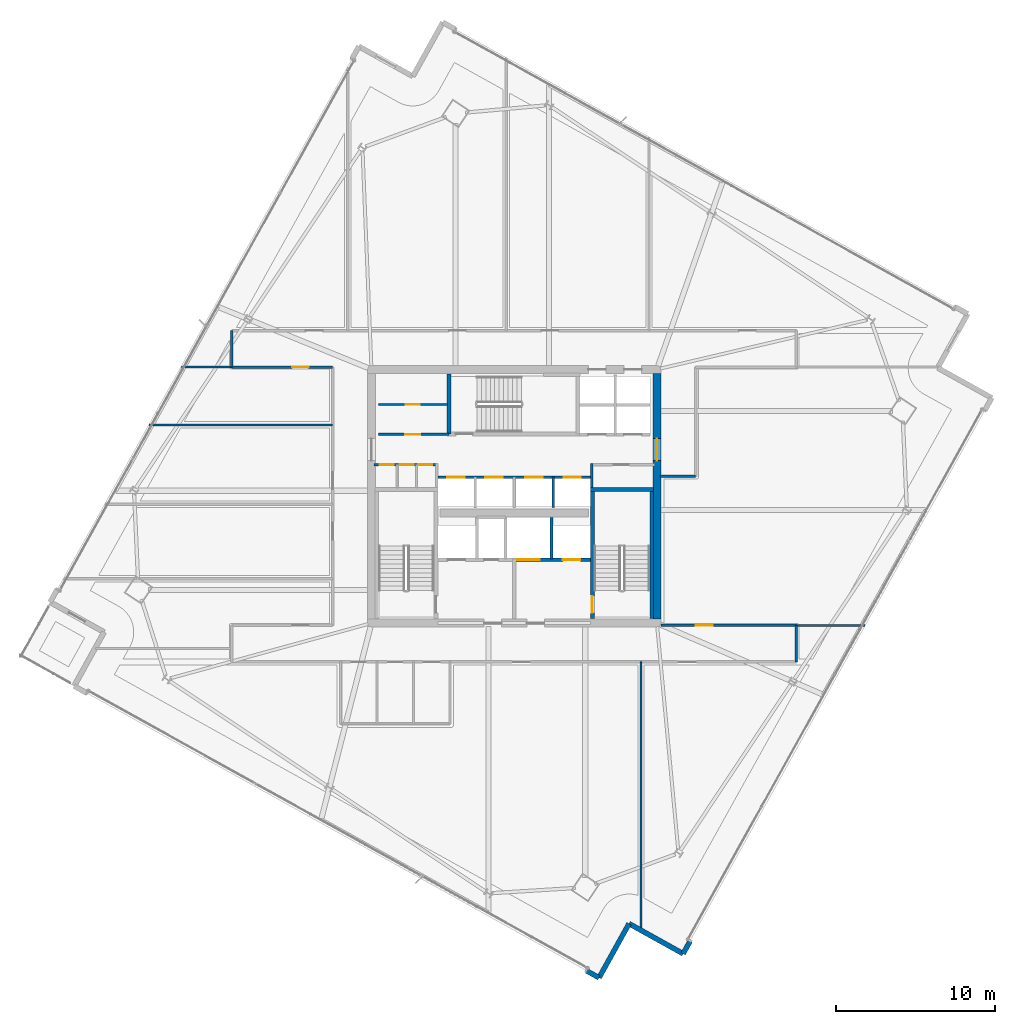
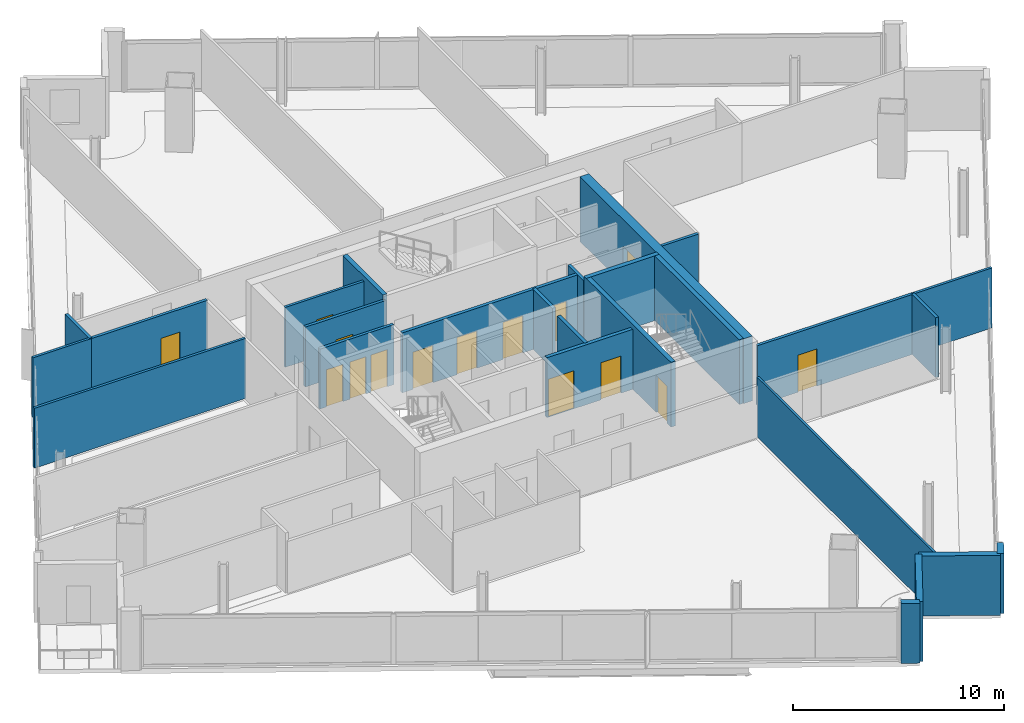
# One storey, part 21 of 28: 26 walls, 15 doors, 15 openings.
"""IFC4 building model written with IfcOpenShell, lengths in metres."""

from ifc_helpers import new_model, si_unit, direction, frame, frame_2d, origin, place, context, subcontext, project, spatial, rectangle, extrude, material, layer, layer_set, type_object, element, fill, save


model = new_model("IFC4")

# Units and contexts
model_context = context("Model", 3, precision=1e-05, world=origin(), true_north=direction((0.0, 1.0)))
body_context = subcontext(model_context, "Body", "Model", "MODEL_VIEW")
ifc_project = project(units=[si_unit("LENGTHUNIT", "METRE"), si_unit("AREAUNIT", "SQUARE_METRE"), si_unit("VOLUMEUNIT", "CUBIC_METRE"), si_unit("PLANEANGLEUNIT", "RADIAN"), si_unit("MASSUNIT", "GRAM", prefix="KILO")], contexts=[model_context])

# Site, building, storey
site_placement = place(None, origin())
site = spatial("IfcSite", under=ifc_project, at=site_placement, CompositionType="ELEMENT")
building_placement = place(site_placement, origin())
building = spatial("IfcBuilding", under=site, at=building_placement, Name="Haldenkirk Collegiate Tower", CompositionType="ELEMENT")
storey_placement = place(building_placement, frame((0.0, 0.0, 232.199951171875)))
storey = spatial("IfcBuildingStorey", under=building, at=storey_placement, Name="L58", CompositionType="ELEMENT", Elevation=232.199951171875)

# Wall, opening, door
ifc_material_1 = material(Name="Concrete f'c 55 MPa", Category="concrete")
ifc_layer_1 = layer(ifc_material_1, 0.5)
ifc_layer_set_1 = layer_set([ifc_layer_1], Name="Concrete f'c 55 MPa")
wall_type_1 = type_object("IfcWallType", Name="WL-CORE-500", PredefinedType="SHEAR", material=ifc_layer_set_1)
wall_1_placement = place(storey_placement, frame((45.0, 18.25, 0.0), z_axis=(0.0, 0.0, 1.0), x_axis=(0.0, 1.0, 0.0)))
wall_1 = element("IfcWall", 1, at=wall_1_placement, inside=storey, type_object=wall_type_1, Name="L58 central core shear wall E", PredefinedType="SHEAR", context=body_context, shape_type="SweptSolid", body=[
    extrude(rectangle(XDim=15.5, YDim=0.5, at=frame_2d((7.75, 0.0))), origin(), (0.0, 0.0, 1.0), 3.75),
])
opening_1_placement = place(wall_1_placement, frame((9.989990234375, 0.0, 0.0)))
opening_1 = element("IfcOpeningElement", 2, at=opening_1_placement, cuts=wall_1, Name="Opening D-03", PredefinedType="OPENING", context=body_context, shape_type="SweptSolid", body=[
    extrude(rectangle(XDim=1.39990234375, YDim=2.199951171875, at=frame_2d((0.699951171875, 1.10009765625))), frame((0.0, 0.260009765625, 0.0), z_axis=(0.0, -1.0, 0.0), x_axis=(1.0, 0.0, 0.0)), (0.0, 0.0, 1.0), 0.52001953125),
])
ifc_material_2 = material(Name="Galvanized fire-rated hollow steel door", Category="steel")
ifc_layer_2 = layer(ifc_material_2, 0.06005859375)
ifc_layer_set_2 = layer_set([ifc_layer_2], Name="Galvanized fire-rated hollow steel door")
door_type_1 = type_object("IfcDoorType", Name="DR-LOBBY-FD90-1400", OperationType="NOTDEFINED", PredefinedType="DOOR", material=ifc_layer_set_2)
door_1_placement = place(opening_1_placement, origin())
door_1 = element("IfcDoor", 3, at=door_1_placement, inside=storey, type_object=door_type_1, Name="L58 east lift lobby portal", OperationType="DOUBLE_DOOR_SINGLE_SWING", OverallHeight=2.199951171875, OverallWidth=1.39990234375, PredefinedType="DOOR", context=body_context, shape_type="SweptSolid", body=[
    extrude(rectangle(XDim=1.39990234375, YDim=2.199951171875, at=frame_2d((0.699951171875, 1.10009765625))), frame((0.0, 0.02490234375, 0.0), z_axis=(0.0, -1.0, 0.0), x_axis=(1.0, 0.0, 0.0)), (0.0, 0.0, 1.0), 0.050048828125),
])
fill(opening_1, door_1)

# Walls
ifc_material_3 = material(Name="Precast concrete f'c 40 MPa", Category="concrete")
ifc_layer_3 = layer(ifc_material_3, 0.320068359375)
ifc_layer_set_3 = layer_set([ifc_layer_3], Name="Precast concrete f'c 40 MPa")
wall_type_2 = type_object("IfcWallType", Name="WL-EXT-TWR-320", PredefinedType="STANDARD", material=ifc_layer_set_3)
wall_2_placement = place(storey_placement, frame((47.091796875, -2.06689453125, 0.0), z_axis=(0.0, 0.0, 1.0), x_axis=(-0.485642931179, -0.874157276122, 0.0)))
element("IfcWall", 4, at=wall_2_placement, inside=storey, type_object=wall_type_2, Name="L58 precast corner pier SR", PredefinedType="STANDARD", context=body_context, shape_type="SweptSolid", body=[
    extrude(rectangle(XDim=0.89990234375, YDim=0.320068359375, at=frame_2d((0.449951171875, 0.0))), origin(), (0.0, 0.0, 1.0), 3.469970703125),
])
wall_3_placement = place(storey_placement, frame((41.351806640625, -4.369384765625, 0.0), z_axis=(0.0, 0.0, 1.0), x_axis=(-0.874221241313, 0.485527775969, 0.0)))
element("IfcWall", 5, at=wall_3_placement, inside=storey, type_object=wall_type_2, Name="L58 precast corner pier WL", PredefinedType="STANDARD", context=body_context, shape_type="SweptSolid", body=[
    extrude(rectangle(XDim=0.900146484375, YDim=0.320068359375, at=frame_2d((0.4501953125, 0.0))), origin(), (0.0, 0.0, 1.0), 3.469970703125),
])
wall_4_placement = place(storey_placement, frame((43.24560546875, -0.9599609375, 0.0), z_axis=(0.0, 0.0, 1.0), x_axis=(-0.485579149943, -0.874192707097, 0.0)))
element("IfcWall", 6, at=wall_4_placement, inside=storey, type_object=wall_type_2, Name="L58 bronze precast notch wall 11", PredefinedType="STANDARD", context=body_context, shape_type="SweptSolid", body=[
    extrude(rectangle(XDim=3.900146484375, YDim=0.320068359375, at=frame_2d((1.9501953125, 0.0))), origin(), (0.0, 0.0, 1.0), 3.469970703125),
])
wall_5_placement = place(storey_placement, frame((46.65478515625, -2.853515625, 0.0), z_axis=(0.0, 0.0, 1.0), x_axis=(-0.874204520409, 0.485557881717, 0.0)))
element("IfcWall", 7, at=wall_5_placement, inside=storey, type_object=wall_type_2, Name="L58 bronze precast notch wall 12", PredefinedType="STANDARD", context=body_context, shape_type="SweptSolid", body=[
    extrude(rectangle(XDim=3.899658203125, YDim=0.320068359375, at=frame_2d((1.94970703125, 0.0))), origin(), (0.0, 0.0, 1.0), 3.469970703125),
])

# Wall, openings, doors
ifc_material_4 = material(Name="Acoustic fire-rated gypsum partition", Category="concrete")
ifc_layer_4 = layer(ifc_material_4, 0.159912109375)
ifc_layer_set_4 = layer_set([ifc_layer_4], Name="Acoustic fire-rated gypsum partition")
wall_type_3 = type_object("IfcWallType", Name="WL-INT-CORR-160", PredefinedType="PARTITIONING", material=ifc_layer_set_4)
wall_6_placement = place(storey_placement, frame((27.14990234375, 27.97998046875, 0.0), z_axis=(0.0, 0.0, 1.0), x_axis=(1.0, 0.0, 0.0)))
wall_6 = element("IfcWall", 8, at=wall_6_placement, inside=storey, type_object=wall_type_3, Name="L58 interior partition IW-L58-VCSW-N", PredefinedType="PARTITIONING", context=body_context, shape_type="SweptSolid", body=[
    extrude(rectangle(XDim=4.050048828125, YDim=0.159912109375, at=frame_2d((2.02490234375, 0.0))), origin(), (0.0, 0.0, 1.0), 3.469970703125),
])
opening_2_placement = place(wall_6_placement, frame((0.360107421875, 0.0, 0.0)))
opening_2 = element("IfcOpeningElement", 9, at=opening_2_placement, cuts=wall_6, Name="Opening D-11", PredefinedType="OPENING", context=body_context, shape_type="SweptSolid", body=[
    extrude(rectangle(XDim=0.89990234375, YDim=2.14990234375, at=frame_2d((0.449951171875, 1.074951171875))), frame((0.0, 0.08984375, 0.0), z_axis=(0.0, -1.0, 0.0), x_axis=(1.0, 0.0, 0.0)), (0.0, 0.0, 1.0), 0.179931640625),
])
opening_3_placement = place(wall_6_placement, frame((1.6298828125, 0.0, 0.0)))
opening_3 = element("IfcOpeningElement", 10, at=opening_3_placement, cuts=wall_6, Name="Opening D-11", PredefinedType="OPENING", context=body_context, shape_type="SweptSolid", body=[
    extrude(rectangle(XDim=0.89990234375, YDim=2.14990234375, at=frame_2d((0.449951171875, 1.074951171875))), frame((0.0, 0.08984375, 0.0), z_axis=(0.0, -1.0, 0.0), x_axis=(1.0, 0.0, 0.0)), (0.0, 0.0, 1.0), 0.179931640625),
])
opening_4_placement = place(wall_6_placement, frame((2.78759765625, 0.0, 0.0)))
opening_4 = element("IfcOpeningElement", 11, at=opening_4_placement, cuts=wall_6, Name="Opening D-11", PredefinedType="OPENING", context=body_context, shape_type="SweptSolid", body=[
    extrude(rectangle(XDim=0.89990234375, YDim=2.14990234375, at=frame_2d((0.449951171875, 1.074951171875))), frame((0.0, 0.08984375, 0.0), z_axis=(0.0, -1.0, 0.0), x_axis=(1.0, 0.0, 0.0)), (0.0, 0.0, 1.0), 0.179931640625),
])
ifc_material_5 = material(Name="Solid-core architectural oak fire door", Category="wood")
ifc_layer_5 = layer(ifc_material_5, 0.06005859375)
ifc_layer_set_5 = layer_set([ifc_layer_5], Name="Solid-core architectural oak fire door")
door_type_2 = type_object("IfcDoorType", Name="DR-INT-FD60-900", OperationType="NOTDEFINED", PredefinedType="DOOR", material=ifc_layer_set_5)
door_2_placement = place(opening_2_placement, origin())
door_2 = element("IfcDoor", 12, at=door_2_placement, inside=storey, type_object=door_type_2, Name="L58 core study booth door", OperationType="SINGLE_SWING_RIGHT", OverallHeight=2.14990234375, OverallWidth=0.89990234375, PredefinedType="DOOR", context=body_context, shape_type="SweptSolid", body=[
    extrude(rectangle(XDim=0.89990234375, YDim=2.14990234375, at=frame_2d((0.449951171875, 1.074951171875))), frame((0.0, 0.02490234375, 0.0), z_axis=(0.0, -1.0, 0.0), x_axis=(1.0, 0.0, 0.0)), (0.0, 0.0, 1.0), 0.050048828125),
])
fill(opening_2, door_2)
door_3_placement = place(opening_3_placement, origin())
door_3 = element("IfcDoor", 13, at=door_3_placement, inside=storey, type_object=door_type_2, Name="L58 core cleaners door", OperationType="SINGLE_SWING_LEFT", OverallHeight=2.14990234375, OverallWidth=0.89990234375, PredefinedType="DOOR", context=body_context, shape_type="SweptSolid", body=[
    extrude(rectangle(XDim=0.89990234375, YDim=2.14990234375, at=frame_2d((0.449951171875, 1.074951171875))), frame((0.0, 0.02490234375, 0.0), z_axis=(0.0, -1.0, 0.0), x_axis=(1.0, 0.0, 0.0)), (0.0, 0.0, 1.0), 0.050048828125),
])
fill(opening_3, door_3)
door_4_placement = place(opening_4_placement, origin())
door_4 = element("IfcDoor", 14, at=door_4_placement, inside=storey, type_object=door_type_2, Name="L58 core stationery door", OperationType="SINGLE_SWING_RIGHT", OverallHeight=2.14990234375, OverallWidth=0.89990234375, PredefinedType="DOOR", context=body_context, shape_type="SweptSolid", body=[
    extrude(rectangle(XDim=0.89990234375, YDim=2.14990234375, at=frame_2d((0.449951171875, 1.074951171875))), frame((0.0, 0.02490234375, 0.0), z_axis=(0.0, -1.0, 0.0), x_axis=(1.0, 0.0, 0.0)), (0.0, 0.0, 1.0), 0.050048828125),
])
fill(opening_4, door_4)

# Wall
wall_7_placement = place(storey_placement, frame((40.8798828125, 26.5400390625, 0.0), z_axis=(0.0, 0.0, 1.0), x_axis=(0.0, 1.0, 0.0)))
element("IfcWall", 15, at=wall_7_placement, inside=storey, type_object=wall_type_3, Name="L58 interior partition IW-L58-VCSE-W", PredefinedType="PARTITIONING", context=body_context, shape_type="SweptSolid", body=[
    extrude(rectangle(XDim=1.510009765625, YDim=0.159912109375, at=frame_2d((0.7548828125, 0.0))), origin(), (0.0, 0.0, 1.0), 3.469970703125),
])

# Wall, opening, door
wall_8_placement = place(storey_placement, frame((27.449951171875, 29.89990234375, 0.0), z_axis=(0.0, 0.0, 1.0), x_axis=(1.0, 0.0, 0.0)))
wall_8 = element("IfcWall", 16, at=wall_8_placement, inside=storey, type_object=wall_type_3, Name="L58 interior partition IW-L58-PLS", PredefinedType="PARTITIONING", context=body_context, shape_type="SweptSolid", body=[
    extrude(rectangle(XDim=4.429931640625, YDim=0.159912109375, at=frame_2d((2.21484375, 0.0))), origin(), (0.0, 0.0, 1.0), 3.469970703125),
])
opening_5_placement = place(wall_8_placement, frame((1.675048828125, 0.0, 0.0)))
opening_5 = element("IfcOpeningElement", 17, at=opening_5_placement, cuts=wall_8, Name="Opening D-10", PredefinedType="OPENING", context=body_context, shape_type="SweptSolid", body=[
    extrude(rectangle(XDim=0.949951171875, YDim=2.14990234375, at=frame_2d((0.47509765625, 1.074951171875))), frame((0.0, 0.08984375, 0.0), z_axis=(0.0, -1.0, 0.0), x_axis=(1.0, 0.0, 0.0)), (0.0, 0.0, 1.0), 0.179931640625),
])
ifc_layer_6 = layer(ifc_material_5, 0.06005859375)
ifc_layer_set_6 = layer_set([ifc_layer_6], Name="Solid-core architectural oak fire door")
door_type_3 = type_object("IfcDoorType", Name="DR-INT-FD60-950", OperationType="NOTDEFINED", PredefinedType="DOOR", material=ifc_layer_set_6)
door_5_placement = place(opening_5_placement, origin())
door_5 = element("IfcDoor", 18, at=door_5_placement, inside=storey, type_object=door_type_3, Name="L58 consultation door", OperationType="SINGLE_SWING_RIGHT", OverallHeight=2.14990234375, OverallWidth=0.949951171875, PredefinedType="DOOR", context=body_context, shape_type="SweptSolid", body=[
    extrude(rectangle(XDim=0.949951171875, YDim=2.14990234375, at=frame_2d((0.47509765625, 1.074951171875))), frame((0.0, 0.02490234375, 0.0), z_axis=(0.0, -1.0, 0.0), x_axis=(1.0, 0.0, 0.0)), (0.0, 0.0, 1.0), 0.050048828125),
])
fill(opening_5, door_5)

wall_9_placement = place(storey_placement, frame((45.25, 17.85009765625, 0.0), z_axis=(0.0, 0.0, 1.0), x_axis=(1.0, 0.0, 0.0)))
wall_9 = element("IfcWall", 19, at=wall_9_placement, inside=storey, type_object=wall_type_3, Name="L58 interior partition IW-L58-CSE", PredefinedType="PARTITIONING", context=body_context, shape_type="SweptSolid", body=[
    extrude(rectangle(XDim=8.550048828125, YDim=0.159912109375, at=frame_2d((4.27490234375, 0.0))), origin(), (0.0, 0.0, 1.0), 3.469970703125),
])
opening_6_placement = place(wall_9_placement, frame((2.2109375, 0.0, 0.0)))
opening_6 = element("IfcOpeningElement", 20, at=opening_6_placement, cuts=wall_9, Name="Opening D-09", PredefinedType="OPENING", context=body_context, shape_type="SweptSolid", body=[
    extrude(rectangle(XDim=1.050048828125, YDim=2.14990234375, at=frame_2d((0.52490234375, 1.074951171875))), frame((0.0, 0.08984375, 0.0), z_axis=(0.0, -1.0, 0.0), x_axis=(1.0, 0.0, 0.0)), (0.0, 0.0, 1.0), 0.179931640625),
])
ifc_layer_7 = layer(ifc_material_5, 0.06005859375)
ifc_layer_set_7 = layer_set([ifc_layer_7], Name="Solid-core architectural oak fire door")
door_type_4 = type_object("IfcDoorType", Name="DR-INT-FD60-1050", OperationType="NOTDEFINED", PredefinedType="DOOR", material=ifc_layer_set_7)
door_6_placement = place(opening_6_placement, origin())
door_6 = element("IfcDoor", 21, at=door_6_placement, inside=storey, type_object=door_type_4, Name="L58 Graduate Seminar Room 11 door", OperationType="SINGLE_SWING_LEFT", OverallHeight=2.14990234375, OverallWidth=1.050048828125, PredefinedType="DOOR", context=body_context, shape_type="SweptSolid", body=[
    extrude(rectangle(XDim=1.050048828125, YDim=2.14990234375, at=frame_2d((0.52490234375, 1.074951171875))), frame((0.0, 0.02490234375, 0.0), z_axis=(0.0, -1.0, 0.0), x_axis=(1.0, 0.0, 0.0)), (0.0, 0.0, 1.0), 0.050048828125),
])
fill(opening_6, door_6)

wall_10_placement = place(storey_placement, frame((18.199951171875, 34.14990234375, 0.0), z_axis=(0.0, 0.0, 1.0), x_axis=(1.0, 0.0, 0.0)))
wall_10 = element("IfcWall", 22, at=wall_10_placement, inside=storey, type_object=wall_type_3, Name="L58 interior partition IW-L58-CNW", PredefinedType="PARTITIONING", context=body_context, shape_type="SweptSolid", body=[
    extrude(rectangle(XDim=6.35009765625, YDim=0.159912109375, at=frame_2d((3.175048828125, 0.0))), origin(), (0.0, 0.0, 1.0), 3.469970703125),
])
opening_7_placement = place(wall_10_placement, frame((3.79296875, 0.0, 0.0)))
opening_7 = element("IfcOpeningElement", 23, at=opening_7_placement, cuts=wall_10, Name="Opening D-09", PredefinedType="OPENING", context=body_context, shape_type="SweptSolid", body=[
    extrude(rectangle(XDim=1.050048828125, YDim=2.14990234375, at=frame_2d((0.52490234375, 1.074951171875))), frame((0.0, 0.08984375, 0.0), z_axis=(0.0, -1.0, 0.0), x_axis=(1.0, 0.0, 0.0)), (0.0, 0.0, 1.0), 0.179931640625),
])
door_7_placement = place(opening_7_placement, origin())
door_7 = element("IfcDoor", 24, at=door_7_placement, inside=storey, type_object=door_type_4, Name="L58 Faculty Tea Kitchen 10 door", OperationType="SINGLE_SWING_RIGHT", OverallHeight=2.14990234375, OverallWidth=1.050048828125, PredefinedType="DOOR", context=body_context, shape_type="SweptSolid", body=[
    extrude(rectangle(XDim=1.050048828125, YDim=2.14990234375, at=frame_2d((0.52490234375, 1.074951171875))), frame((0.0, 0.02490234375, 0.0), z_axis=(0.0, -1.0, 0.0), x_axis=(1.0, 0.0, 0.0)), (0.0, 0.0, 1.0), 0.050048828125),
])
fill(opening_7, door_7)

# Walls
wall_11_placement = place(storey_placement, frame((45.199951171875, 27.25, 0.0), z_axis=(0.0, 0.0, 1.0), x_axis=(1.0, 0.0, 0.0)))
element("IfcWall", 25, at=wall_11_placement, inside=storey, type_object=wall_type_3, Name="L58 interior partition IW-L58-CES", PredefinedType="PARTITIONING", context=body_context, shape_type="SweptSolid", body=[
    extrude(rectangle(XDim=2.25, YDim=0.159912109375, at=frame_2d((1.125, 0.0))), origin(), (0.0, 0.0, 1.0), 3.469970703125),
])
for number, where, z_axis, x_axis, name in (
    (26, (53.800048828125, 15.550048828125, 0.0), (0.0, 0.0, 1.0), (0.0, 1.0, 0.0), "L58 interior partition IW-L58-CSR"),
    (27, (18.199951171875, 34.14990234375, 0.0), (0.0, 0.0, 1.0), (0.0, 1.0, 0.0), "L58 interior partition IW-L58-CNL"),
):
    element("IfcWall", number, at=place(storey_placement, frame(where, z_axis=z_axis, x_axis=x_axis)), inside=storey, type_object=wall_type_3, Name=name, PredefinedType="PARTITIONING", context=body_context, shape_type="SweptSolid", body=[
        extrude(rectangle(XDim=2.300048828125, YDim=0.159912109375, at=frame_2d((1.14990234375, 0.0))), origin(), (0.0, 0.0, 1.0), 3.469970703125),
    ])

# Wall, opening, door
ifc_layer_8 = layer(ifc_material_4, 0.139892578125)
ifc_layer_set_8 = layer_set([ifc_layer_8], Name="Acoustic fire-rated gypsum partition")
wall_type_4 = type_object("IfcWallType", Name="WL-INT-DIV-140", PredefinedType="PARTITIONING", material=ifc_layer_set_8)
wall_12_placement = place(storey_placement, frame((27.449951171875, 31.780029296875, 0.0), z_axis=(0.0, 0.0, 1.0), x_axis=(1.0, 0.0, 0.0)))
wall_12 = element("IfcWall", 28, at=wall_12_placement, inside=storey, type_object=wall_type_4, Name="L58 interior partition IW-L58-PLDIVH", PredefinedType="PARTITIONING", context=body_context, shape_type="SweptSolid", body=[
    extrude(rectangle(XDim=4.35009765625, YDim=0.139892578125, at=frame_2d((2.175048828125, 0.0))), origin(), (0.0, 0.0, 1.0), 3.469970703125),
])
opening_8_placement = place(wall_12_placement, frame((1.699951171875, 0.0, 0.0)))
opening_8 = element("IfcOpeningElement", 29, at=opening_8_placement, cuts=wall_12, Name="Opening D-13", PredefinedType="OPENING", context=body_context, shape_type="SweptSolid", body=[
    extrude(rectangle(XDim=0.89990234375, YDim=2.14990234375, at=frame_2d((0.449951171875, 1.074951171875))), frame((0.0, 0.079833984375, 0.0), z_axis=(0.0, -1.0, 0.0), x_axis=(1.0, 0.0, 0.0)), (0.0, 0.0, 1.0), 0.159912109375),
])
ifc_layer_9 = layer(ifc_material_5, 0.06005859375)
ifc_layer_set_9 = layer_set([ifc_layer_9], Name="Solid-core architectural oak fire door")
door_type_5 = type_object("IfcDoorType", Name="DR-INT-STD-900", OperationType="NOTDEFINED", PredefinedType="DOOR", material=ifc_layer_set_9)
door_8_placement = place(opening_8_placement, origin())
door_8 = element("IfcDoor", 30, at=door_8_placement, inside=storey, type_object=door_type_5, Name="L58 folio vault door", OperationType="SINGLE_SWING_LEFT", OverallHeight=2.14990234375, OverallWidth=0.89990234375, PredefinedType="DOOR", context=body_context, shape_type="SweptSolid", body=[
    extrude(rectangle(XDim=0.89990234375, YDim=2.14990234375, at=frame_2d((0.449951171875, 1.074951171875))), frame((0.0, 0.02490234375, 0.0), z_axis=(0.0, -1.0, 0.0), x_axis=(1.0, 0.0, 0.0)), (0.0, 0.0, 1.0), 0.050048828125),
])
fill(opening_8, door_8)

# Walls
wall_13_placement = place(storey_placement, frame((15.00634765625, 34.14990234375, 0.0), z_axis=(0.0, 0.0, 1.0), x_axis=(1.0, 0.0, 0.0)))
element("IfcWall", 31, at=wall_13_placement, inside=storey, type_object=wall_type_4, Name="L58 interior partition IW-L58-BWN", PredefinedType="PARTITIONING", context=body_context, shape_type="SweptSolid", body=[
    extrude(rectangle(XDim=3.193603515625, YDim=0.139892578125, at=frame_2d((1.5966796875, 0.0))), origin(), (0.0, 0.0, 1.0), 3.469970703125),
])
wall_14_placement = place(storey_placement, frame((53.800048828125, 17.85009765625, 0.0), z_axis=(0.0, 0.0, 1.0), x_axis=(1.0, 0.0, 0.0)))
element("IfcWall", 32, at=wall_14_placement, inside=storey, type_object=wall_type_4, Name="L58 interior partition IW-L58-BES", PredefinedType="PARTITIONING", context=body_context, shape_type="SweptSolid", body=[
    extrude(rectangle(XDim=4.308837890625, YDim=0.139892578125, at=frame_2d((2.154296875, 0.0))), origin(), (0.0, 0.0, 1.0), 3.469970703125),
])
wall_15_placement = place(storey_placement, frame((12.97900390625, 30.5, 0.0), z_axis=(0.0, 0.0, 1.0), x_axis=(1.0, 0.0, 0.0)))
element("IfcWall", 33, at=wall_15_placement, inside=storey, type_object=wall_type_4, Name="L58 interior partition IW-L58-RW3", PredefinedType="PARTITIONING", context=body_context, shape_type="SweptSolid", body=[
    extrude(rectangle(XDim=11.571044921875, YDim=0.139892578125, at=frame_2d((5.78564453125, 0.0))), origin(), (0.0, 0.0, 1.0), 3.469970703125),
])
ifc_material_6 = material(Name="Fire-rated gypsum shaftboard assembly", Category="concrete")
ifc_layer_10 = layer(ifc_material_6, 0.179931640625)
ifc_layer_set_10 = layer_set([ifc_layer_10], Name="Fire-rated gypsum shaftboard assembly")
wall_type_5 = type_object("IfcWallType", Name="WL-INT-SHAFT-180", PredefinedType="PARTITIONING", material=ifc_layer_set_10)
wall_16_placement = place(storey_placement, frame((38.35009765625, 22.050048828125, 0.0), z_axis=(0.0, 0.0, 1.0), x_axis=(0.0, 1.0, 0.0)))
element("IfcWall", 34, at=wall_16_placement, inside=storey, type_object=wall_type_5, Name="L58 interior partition IW-L58-GL1E", PredefinedType="PARTITIONING", context=body_context, shape_type="SweptSolid", body=[
    extrude(rectangle(XDim=2.599853515625, YDim=0.179931640625, at=frame_2d((1.2998046875, 0.0))), origin(), (0.0, 0.0, 1.0), 3.469970703125),
])

# Wall, openings, doors
wall_17_placement = place(storey_placement, frame((31.199951171875, 27.199951171875, 0.0), z_axis=(0.0, 0.0, 1.0), x_axis=(1.0, 0.0, 0.0)))
wall_17 = element("IfcWall", 35, at=wall_17_placement, inside=storey, type_object=wall_type_5, Name="L58 interior partition IW-L58-PHN", PredefinedType="PARTITIONING", context=body_context, shape_type="SweptSolid", body=[
    extrude(rectangle(XDim=9.60009765625, YDim=0.179931640625, at=frame_2d((4.800048828125, 0.0))), origin(), (0.0, 0.0, 1.0), 3.469970703125),
])
opening_9_placement = place(wall_17_placement, frame((0.590087890625, 0.0, 0.0)))
opening_9 = element("IfcOpeningElement", 36, at=opening_9_placement, cuts=wall_17, Name="Opening LD-11", PredefinedType="OPENING", context=body_context, shape_type="SweptSolid", body=[
    extrude(rectangle(XDim=1.10009765625, YDim=2.14990234375, at=frame_2d((0.550048828125, 1.074951171875))), frame((0.0, 0.099853515625, 0.0), z_axis=(0.0, -1.0, 0.0), x_axis=(1.0, 0.0, 0.0)), (0.0, 0.0, 1.0), 0.199951171875),
])
opening_10_placement = place(wall_17_placement, frame((2.989990234375, 0.0, 0.0)))
opening_10 = element("IfcOpeningElement", 37, at=opening_10_placement, cuts=wall_17, Name="Opening LD-11", PredefinedType="OPENING", context=body_context, shape_type="SweptSolid", body=[
    extrude(rectangle(XDim=1.10009765625, YDim=2.14990234375, at=frame_2d((0.550048828125, 1.074951171875))), frame((0.0, 0.099853515625, 0.0), z_axis=(0.0, -1.0, 0.0), x_axis=(1.0, 0.0, 0.0)), (0.0, 0.0, 1.0), 0.199951171875),
])
opening_11_placement = place(wall_17_placement, frame((5.510009765625, 0.0, 0.0)))
opening_11 = element("IfcOpeningElement", 38, at=opening_11_placement, cuts=wall_17, Name="Opening LD-11", PredefinedType="OPENING", context=body_context, shape_type="SweptSolid", body=[
    extrude(rectangle(XDim=1.10009765625, YDim=2.14990234375, at=frame_2d((0.550048828125, 1.074951171875))), frame((0.0, 0.099853515625, 0.0), z_axis=(0.0, -1.0, 0.0), x_axis=(1.0, 0.0, 0.0)), (0.0, 0.0, 1.0), 0.199951171875),
])
opening_12_placement = place(wall_17_placement, frame((7.909912109375, 0.0, 0.0)))
opening_12 = element("IfcOpeningElement", 39, at=opening_12_placement, cuts=wall_17, Name="Opening LD-11", PredefinedType="OPENING", context=body_context, shape_type="SweptSolid", body=[
    extrude(rectangle(XDim=1.10009765625, YDim=2.14990234375, at=frame_2d((0.550048828125, 1.074951171875))), frame((0.0, 0.099853515625, 0.0), z_axis=(0.0, -1.0, 0.0), x_axis=(1.0, 0.0, 0.0)), (0.0, 0.0, 1.0), 0.199951171875),
])
ifc_material_7 = material(Name="Brushed architectural stainless steel", Category="steel")
ifc_layer_11 = layer(ifc_material_7, 0.06005859375)
ifc_layer_set_11 = layer_set([ifc_layer_11], Name="Brushed architectural stainless steel")
door_type_6 = type_object("IfcDoorType", Name="LD-PASS-1100", OperationType="NOTDEFINED", PredefinedType="DOOR", material=ifc_layer_set_11)
door_9_placement = place(opening_9_placement, origin())
door_9 = element("IfcDoor", 40, at=door_9_placement, inside=storey, type_object=door_type_6, Name="L58 Elevator PH1 sliding landing door", OperationType="SLIDING_TO_LEFT", OverallHeight=2.14990234375, OverallWidth=1.10009765625, PredefinedType="DOOR", context=body_context, shape_type="SweptSolid", body=[
    extrude(rectangle(XDim=1.10009765625, YDim=2.14990234375, at=frame_2d((0.550048828125, 1.074951171875))), frame((0.0, 0.02490234375, 0.0), z_axis=(0.0, -1.0, 0.0), x_axis=(1.0, 0.0, 0.0)), (0.0, 0.0, 1.0), 0.050048828125),
])
fill(opening_9, door_9)
door_10_placement = place(opening_10_placement, origin())
door_10 = element("IfcDoor", 41, at=door_10_placement, inside=storey, type_object=door_type_6, Name="L58 Elevator PH2 sliding landing door", OperationType="SLIDING_TO_LEFT", OverallHeight=2.14990234375, OverallWidth=1.10009765625, PredefinedType="DOOR", context=body_context, shape_type="SweptSolid", body=[
    extrude(rectangle(XDim=1.10009765625, YDim=2.14990234375, at=frame_2d((0.550048828125, 1.074951171875))), frame((0.0, 0.02490234375, 0.0), z_axis=(0.0, -1.0, 0.0), x_axis=(1.0, 0.0, 0.0)), (0.0, 0.0, 1.0), 0.050048828125),
])
fill(opening_10, door_10)
door_11_placement = place(opening_11_placement, origin())
door_11 = element("IfcDoor", 42, at=door_11_placement, inside=storey, type_object=door_type_6, Name="L58 Elevator PH3 sliding landing door", OperationType="SLIDING_TO_LEFT", OverallHeight=2.14990234375, OverallWidth=1.10009765625, PredefinedType="DOOR", context=body_context, shape_type="SweptSolid", body=[
    extrude(rectangle(XDim=1.10009765625, YDim=2.14990234375, at=frame_2d((0.550048828125, 1.074951171875))), frame((0.0, 0.02490234375, 0.0), z_axis=(0.0, -1.0, 0.0), x_axis=(1.0, 0.0, 0.0)), (0.0, 0.0, 1.0), 0.050048828125),
])
fill(opening_11, door_11)
door_12_placement = place(opening_12_placement, origin())
door_12 = element("IfcDoor", 43, at=door_12_placement, inside=storey, type_object=door_type_6, Name="L58 Elevator PH4 sliding landing door", OperationType="SLIDING_TO_LEFT", OverallHeight=2.14990234375, OverallWidth=1.10009765625, PredefinedType="DOOR", context=body_context, shape_type="SweptSolid", body=[
    extrude(rectangle(XDim=1.10009765625, YDim=2.14990234375, at=frame_2d((0.550048828125, 1.074951171875))), frame((0.0, 0.02490234375, 0.0), z_axis=(0.0, -1.0, 0.0), x_axis=(1.0, 0.0, 0.0)), (0.0, 0.0, 1.0), 0.050048828125),
])
fill(opening_12, door_12)

# Wall
wall_18_placement = place(storey_placement, frame((38.4599609375, 25.300048828125, 0.0), z_axis=(0.0, 0.0, 1.0), x_axis=(0.0, 1.0, 0.0)))
element("IfcWall", 44, at=wall_18_placement, inside=storey, type_object=wall_type_5, Name="L58 interior partition IW-L58-PHV3", PredefinedType="PARTITIONING", context=body_context, shape_type="SweptSolid", body=[
    extrude(rectangle(XDim=1.89990234375, YDim=0.179931640625, at=frame_2d((0.949951171875, 0.0))), origin(), (0.0, 0.0, 1.0), 3.469970703125),
])

# Wall, openings, doors
ifc_layer_12 = layer(ifc_material_6, 0.199951171875)
ifc_layer_set_12 = layer_set([ifc_layer_12], Name="Fire-rated gypsum shaftboard assembly")
wall_type_6 = type_object("IfcWallType", Name="WL-INT-SHAFT-200", PredefinedType="PARTITIONING", material=ifc_layer_set_12)
wall_19_placement = place(storey_placement, frame((36.1201171875, 22.0, 0.0), z_axis=(0.0, 0.0, 1.0), x_axis=(1.0, 0.0, 0.0)))
wall_19 = element("IfcWall", 45, at=wall_19_placement, inside=storey, type_object=wall_type_6, Name="L58 interior partition IW-L58-FFL2N", PredefinedType="PARTITIONING", context=body_context, shape_type="SweptSolid", body=[
    extrude(rectangle(XDim=4.68994140625, YDim=0.199951171875, at=frame_2d((2.344970703125, 0.0))), origin(), (0.0, 0.0, 1.0), 3.469970703125),
])
opening_13_placement = place(wall_19_placement, frame((2.955078125, 0.0, 0.0)))
opening_13 = element("IfcOpeningElement", 46, at=opening_13_placement, cuts=wall_19, Name="Opening LD-12", PredefinedType="OPENING", context=body_context, shape_type="SweptSolid", body=[
    extrude(rectangle(XDim=1.10009765625, YDim=2.14990234375, at=frame_2d((0.550048828125, 1.074951171875))), frame((0.0, 0.10986328125, 0.0), z_axis=(0.0, -1.0, 0.0), x_axis=(1.0, 0.0, 0.0)), (0.0, 0.0, 1.0), 0.219970703125),
])
opening_14_placement = place(wall_19_placement, frame((0.080078125, 0.0, 0.0)))
opening_14 = element("IfcOpeningElement", 47, at=opening_14_placement, cuts=wall_19, Name="Opening LD-13", PredefinedType="OPENING", context=body_context, shape_type="SweptSolid", body=[
    extrude(rectangle(XDim=1.39990234375, YDim=2.199951171875, at=frame_2d((0.699951171875, 1.10009765625))), frame((0.0, 0.10986328125, 0.0), z_axis=(0.0, -1.0, 0.0), x_axis=(1.0, 0.0, 0.0)), (0.0, 0.0, 1.0), 0.219970703125),
])
ifc_layer_13 = layer(ifc_material_7, 0.06005859375)
ifc_layer_set_13 = layer_set([ifc_layer_13], Name="Brushed architectural stainless steel")
door_type_7 = type_object("IfcDoorType", Name="LD-FIRE-1100", OperationType="NOTDEFINED", PredefinedType="DOOR", material=ifc_layer_set_13)
door_13_placement = place(opening_13_placement, origin())
door_13 = element("IfcDoor", 48, at=door_13_placement, inside=storey, type_object=door_type_7, Name="L58 Elevator FL2 sliding landing door", OperationType="SLIDING_TO_LEFT", OverallHeight=2.14990234375, OverallWidth=1.10009765625, PredefinedType="DOOR", context=body_context, shape_type="SweptSolid", body=[
    extrude(rectangle(XDim=1.10009765625, YDim=2.14990234375, at=frame_2d((0.550048828125, 1.074951171875))), frame((0.0, 0.02490234375, 0.0), z_axis=(0.0, -1.0, 0.0), x_axis=(1.0, 0.0, 0.0)), (0.0, 0.0, 1.0), 0.050048828125),
])
fill(opening_13, door_13)
ifc_layer_14 = layer(ifc_material_7, 0.06005859375)
ifc_layer_set_14 = layer_set([ifc_layer_14], Name="Brushed architectural stainless steel")
door_type_8 = type_object("IfcDoorType", Name="LD-GOODS-1400", OperationType="NOTDEFINED", PredefinedType="DOOR", material=ifc_layer_set_14)
door_14_placement = place(opening_14_placement, origin())
door_14 = element("IfcDoor", 49, at=door_14_placement, inside=storey, type_object=door_type_8, Name="L58 Elevator GL1 sliding landing door", OperationType="SLIDING_TO_LEFT", OverallHeight=2.199951171875, OverallWidth=1.39990234375, PredefinedType="DOOR", context=body_context, shape_type="SweptSolid", body=[
    extrude(rectangle(XDim=1.39990234375, YDim=2.199951171875, at=frame_2d((0.699951171875, 1.10009765625))), frame((0.0, 0.02490234375, 0.0), z_axis=(0.0, -1.0, 0.0), x_axis=(1.0, 0.0, 0.0)), (0.0, 0.0, 1.0), 0.050048828125),
])
fill(opening_14, door_14)

# Wall
ifc_layer_15 = layer(ifc_material_4, 0.1201171875)
ifc_layer_set_15 = layer_set([ifc_layer_15], Name="Acoustic fire-rated gypsum partition")
wall_type_7 = type_object("IfcWallType", Name="WL-INT-WET-120", PredefinedType="PARTITIONING", material=ifc_layer_set_15)
wall_20_placement = place(storey_placement, frame((44.0, -1.333251953125, 0.0), z_axis=(0.0, 0.0, 1.0), x_axis=(0.0, 1.0, 0.0)))
element("IfcWall", 50, at=wall_20_placement, inside=storey, type_object=wall_type_7, Name="L58 interior partition IW-L58-RS1", PredefinedType="PARTITIONING", context=body_context, shape_type="SweptSolid", body=[
    extrude(rectangle(XDim=16.88330078125, YDim=0.1201171875, at=frame_2d((8.441650390625, 0.0))), origin(), (0.0, 0.0, 1.0), 3.469970703125),
])

# Wall, opening, door
ifc_layer_16 = layer(ifc_material_1, 0.239990234375)
ifc_layer_set_16 = layer_set([ifc_layer_16], Name="Concrete f'c 55 MPa")
wall_type_8 = type_object("IfcWallType", Name="WL-SHAFT-240", PredefinedType="SHEAR", material=ifc_layer_set_16)
wall_21_placement = place(storey_placement, frame((40.929931640625, 18.280029296875, 0.0), z_axis=(0.0, 0.0, 1.0), x_axis=(0.0, 1.0, 0.0)))
wall_21 = element("IfcWall", 51, at=wall_21_placement, inside=storey, type_object=wall_type_8, Name="L58 stair shaft shear wall SW-L58-ST2W", PredefinedType="SHEAR", context=body_context, shape_type="SweptSolid", body=[
    extrude(rectangle(XDim=8.260009765625, YDim=0.239990234375, at=frame_2d((4.1298828125, 0.0))), origin(), (0.0, 0.0, 1.0), 3.75),
])
opening_15_placement = place(wall_21_placement, frame((0.364990234375, 0.0, 0.0)))
opening_15 = element("IfcOpeningElement", 52, at=opening_15_placement, cuts=wall_21, Name="Opening D-01", PredefinedType="OPENING", context=body_context, shape_type="SweptSolid", body=[
    extrude(rectangle(XDim=1.050048828125, YDim=2.14990234375, at=frame_2d((0.52490234375, 1.074951171875))), frame((0.0, 0.1298828125, 0.0), z_axis=(0.0, -1.0, 0.0), x_axis=(1.0, 0.0, 0.0)), (0.0, 0.0, 1.0), 0.260009765625),
])
ifc_layer_17 = layer(ifc_material_2, 0.06005859375)
ifc_layer_set_17 = layer_set([ifc_layer_17], Name="Galvanized fire-rated hollow steel door")
door_type_9 = type_object("IfcDoorType", Name="DR-STAIR-FD90-1050", OperationType="NOTDEFINED", PredefinedType="DOOR", material=ifc_layer_set_17)
door_15_placement = place(opening_15_placement, origin())
door_15 = element("IfcDoor", 53, at=door_15_placement, inside=storey, type_object=door_type_9, Name="L58 Stair 2 door", OperationType="SINGLE_SWING_RIGHT", OverallHeight=2.14990234375, OverallWidth=1.050048828125, PredefinedType="DOOR", context=body_context, shape_type="SweptSolid", body=[
    extrude(rectangle(XDim=1.050048828125, YDim=2.14990234375, at=frame_2d((0.52490234375, 1.074951171875))), frame((0.0, 0.02490234375, 0.0), z_axis=(0.0, -1.0, 0.0), x_axis=(1.0, 0.0, 0.0)), (0.0, 0.0, 1.0), 0.050048828125),
])
fill(opening_15, door_15)

# Walls
wall_22_placement = place(storey_placement, frame((40.81005859375, 26.419921875, 0.0), z_axis=(0.0, 0.0, 1.0), x_axis=(1.0, 0.0, 0.0)))
element("IfcWall", 54, at=wall_22_placement, inside=storey, type_object=wall_type_8, Name="L58 stair shaft shear wall SW-L58-ST2N", PredefinedType="SHEAR", context=body_context, shape_type="SweptSolid", body=[
    extrude(rectangle(XDim=3.97998046875, YDim=0.239990234375, at=frame_2d((1.989990234375, 0.0))), origin(), (0.0, 0.0, 1.0), 3.75),
])
wall_23_placement = place(storey_placement, frame((44.669921875, 18.280029296875, 0.0), z_axis=(0.0, 0.0, 1.0), x_axis=(0.0, 1.0, 0.0)))
element("IfcWall", 55, at=wall_23_placement, inside=storey, type_object=wall_type_8, Name="L58 stair shaft shear wall SW-L58-ST2E", PredefinedType="SHEAR", context=body_context, shape_type="SweptSolid", body=[
    extrude(rectangle(XDim=8.260009765625, YDim=0.239990234375, at=frame_2d((4.1298828125, 0.0))), origin(), (0.0, 0.0, 1.0), 3.75),
])
wall_24_placement = place(storey_placement, frame((31.8798828125, 29.929931640625, 0.0), z_axis=(0.0, 0.0, 1.0), x_axis=(0.0, 1.0, 0.0)))
element("IfcWall", 56, at=wall_24_placement, inside=storey, type_object=wall_type_8, Name="L58 stair shaft shear wall SW-L58-ST3W", PredefinedType="SHEAR", context=body_context, shape_type="SweptSolid", body=[
    extrude(rectangle(XDim=3.7900390625, YDim=0.239990234375, at=frame_2d((1.89501953125, 0.0))), origin(), (0.0, 0.0, 1.0), 3.75),
])

save(model, "model.ifc")
